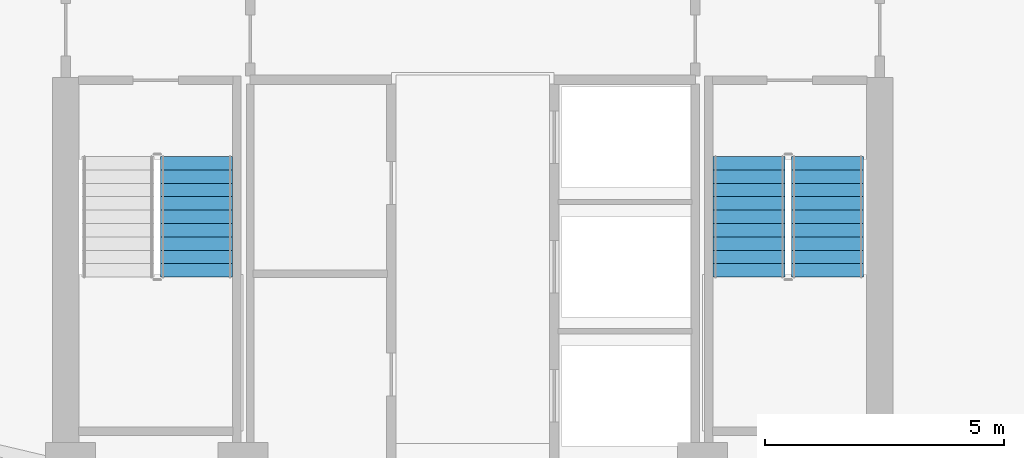
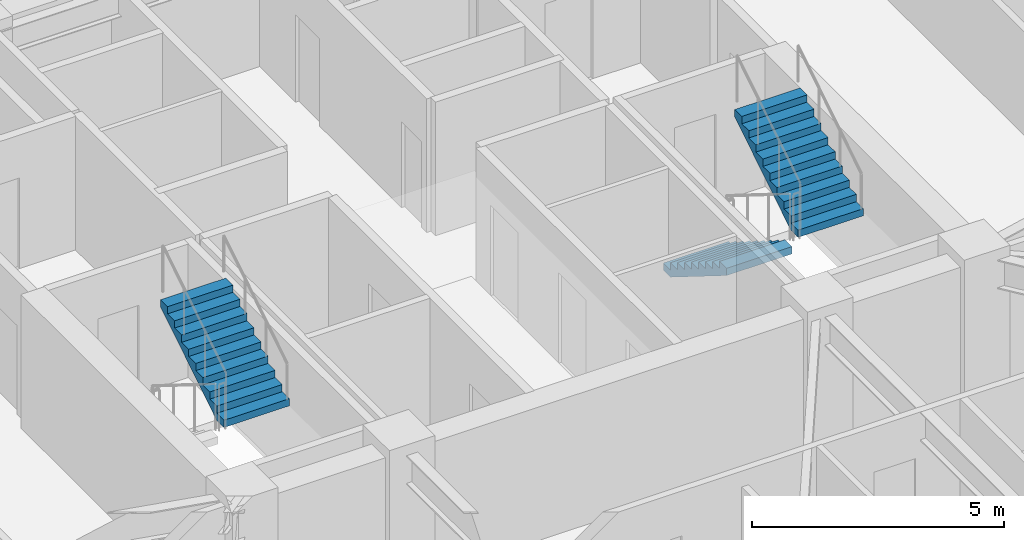
# One storey, part 6 of 11: 3 stair flights, 2 elements without a shape of their own.
"""IFC4 building model written with IfcOpenShell, lengths in metres."""

from ifc_helpers import new_model, si_unit, direction, frame, origin, place, context, subcontext, project, spatial, polyline, outline, extrude, material, type_object, element, aggregate, save


model = new_model("IFC4")

# Units and contexts
model_context = context("Model", 3, precision=1e-05, world=origin(), true_north=direction((0.0, 1.0)))
body_context = subcontext(model_context, "Body", "Model", "MODEL_VIEW")
ifc_project = project(units=[si_unit("LENGTHUNIT", "METRE"), si_unit("AREAUNIT", "SQUARE_METRE"), si_unit("VOLUMEUNIT", "CUBIC_METRE"), si_unit("PLANEANGLEUNIT", "RADIAN"), si_unit("MASSUNIT", "GRAM", prefix="KILO")], contexts=[model_context])

# Site, building, storey
site_placement = place(None, origin())
site = spatial("IfcSite", under=ifc_project, at=site_placement, CompositionType="ELEMENT")
building_placement = place(site_placement, origin())
building = spatial("IfcBuilding", under=site, at=building_placement, Name="Cairnveth Concourse Tower", CompositionType="ELEMENT")
storey_placement = place(building_placement, frame((0.0, 0.0, 190.0)))
storey = spatial("IfcBuildingStorey", under=building, at=storey_placement, Name="L52", CompositionType="ELEMENT", Elevation=190.0)

# Stair, stair flight
ifc_material = material(Name="Precast concrete N50 (50 MPa)", Category="concrete")
stair_type = type_object("IfcStairType", Name="CORE DOG-LEG FIRE STAIR 1500", PredefinedType="HALF_TURN_STAIR", material=ifc_material)
stair_1_placement = place(storey_placement, origin())
stair_1 = element("IfcStair", 1, at=stair_1_placement, inside=storey, type_object=stair_type, Name="L52 Fire-Isolated Stair ST-1", PredefinedType="HALF_TURN_STAIR")
stair_flight_type = type_object("IfcStairFlightType", Name="PRECAST CONCRETE STAIR FLIGHT 1500", PredefinedType="STRAIGHT", material=ifc_material)
stair_flight_1_placement = place(storey_placement, frame((46.22998046875, 34.580078125, 1.75), z_axis=(0.0, 0.0, 1.0), x_axis=(0.0, 1.0, 0.0)))
stair_flight_1 = element("IfcStairFlight", 2, at=stair_flight_1_placement, type_object=stair_flight_type, Name="ST-1 flight 2", NumberOfRisers=10, NumberOfTreads=9, PredefinedType="STRAIGHT", RiserHeight=0.175, TreadLength=0.28, context=body_context, shape_type="SweptSolid", body=[
    extrude(outline(polyline([(0.0, 0.0), (0.0, 0.175048828125), (0.280029296875, 0.175048828125), (0.280029296875, 0.35009765625), (0.56005859375, 0.35009765625), (0.56005859375, 0.52490234375), (0.840087890625, 0.52490234375), (0.840087890625, 0.699951171875), (1.1201171875, 0.699951171875), (1.1201171875, 0.875), (1.39990234375, 0.875), (1.39990234375, 1.050048828125), (1.679931640625, 1.050048828125), (1.679931640625, 1.22509765625), (1.9599609375, 1.22509765625), (1.9599609375, 1.39990234375), (2.239990234375, 1.39990234375), (2.239990234375, 1.574951171875), (2.52001953125, 1.574951171875), (2.52001953125, 1.75), (2.52001953125, 1.398193359375), (0.28271484375, 0.0), (0.0, 0.0)])), frame((0.0, 0.75, 0.0), z_axis=(0.0, -1.0, 0.0), x_axis=(1.0, 0.0, 0.0)), (0.0, 0.0, 1.0), 1.5),
])
aggregate(stair_1, [stair_flight_1])

# Stair, stair flights
stair_2_placement = place(storey_placement, origin())
stair_2 = element("IfcStair", 3, at=stair_2_placement, inside=storey, type_object=stair_type, Name="L52 Fire-Isolated Stair ST-2", PredefinedType="HALF_TURN_STAIR")
stair_flight_2_placement = place(storey_placement, frame((57.77001953125, 37.10009765625, 0.0), z_axis=(0.0, 0.0, 1.0), x_axis=(0.0, -1.0, 0.0)))
stair_flight_2 = element("IfcStairFlight", 4, at=stair_flight_2_placement, type_object=stair_flight_type, Name="ST-2 flight 1", NumberOfRisers=10, NumberOfTreads=9, PredefinedType="STRAIGHT", RiserHeight=0.175, TreadLength=0.28, context=body_context, shape_type="SweptSolid", body=[
    extrude(outline(polyline([(0.0, 0.0), (0.0, 0.175048828125), (0.280029296875, 0.175048828125), (0.280029296875, 0.35009765625), (0.56005859375, 0.35009765625), (0.56005859375, 0.52490234375), (0.840087890625, 0.52490234375), (0.840087890625, 0.699951171875), (1.1201171875, 0.699951171875), (1.1201171875, 0.875), (1.39990234375, 0.875), (1.39990234375, 1.050048828125), (1.679931640625, 1.050048828125), (1.679931640625, 1.22509765625), (1.9599609375, 1.22509765625), (1.9599609375, 1.39990234375), (2.239990234375, 1.39990234375), (2.239990234375, 1.574951171875), (2.52001953125, 1.574951171875), (2.52001953125, 1.75), (2.52001953125, 1.398193359375), (0.28271484375, 0.0), (0.0, 0.0)])), frame((0.0, 0.75, 0.0), z_axis=(0.0, -1.0, 0.0), x_axis=(1.0, 0.0, 0.0)), (0.0, 0.0, 1.0), 1.5),
])
stair_flight_3_placement = place(storey_placement, frame((59.409912109375, 34.580078125, 1.75), z_axis=(0.0, 0.0, 1.0), x_axis=(0.0, 1.0, 0.0)))
stair_flight_3 = element("IfcStairFlight", 5, at=stair_flight_3_placement, type_object=stair_flight_type, Name="ST-2 flight 2", NumberOfRisers=10, NumberOfTreads=9, PredefinedType="STRAIGHT", RiserHeight=0.175, TreadLength=0.28, context=body_context, shape_type="SweptSolid", body=[
    extrude(outline(polyline([(0.0, 0.0), (0.0, 0.175048828125), (0.280029296875, 0.175048828125), (0.280029296875, 0.35009765625), (0.56005859375, 0.35009765625), (0.56005859375, 0.52490234375), (0.840087890625, 0.52490234375), (0.840087890625, 0.699951171875), (1.1201171875, 0.699951171875), (1.1201171875, 0.875), (1.39990234375, 0.875), (1.39990234375, 1.050048828125), (1.679931640625, 1.050048828125), (1.679931640625, 1.22509765625), (1.9599609375, 1.22509765625), (1.9599609375, 1.39990234375), (2.239990234375, 1.39990234375), (2.239990234375, 1.574951171875), (2.52001953125, 1.574951171875), (2.52001953125, 1.75), (2.52001953125, 1.398193359375), (0.28271484375, 0.0), (0.0, 0.0)])), frame((0.0, 0.75, 0.0), z_axis=(0.0, -1.0, 0.0), x_axis=(1.0, 0.0, 0.0)), (0.0, 0.0, 1.0), 1.5),
])
aggregate(stair_2, [stair_flight_2, stair_flight_3])

save(model, "model.ifc")
